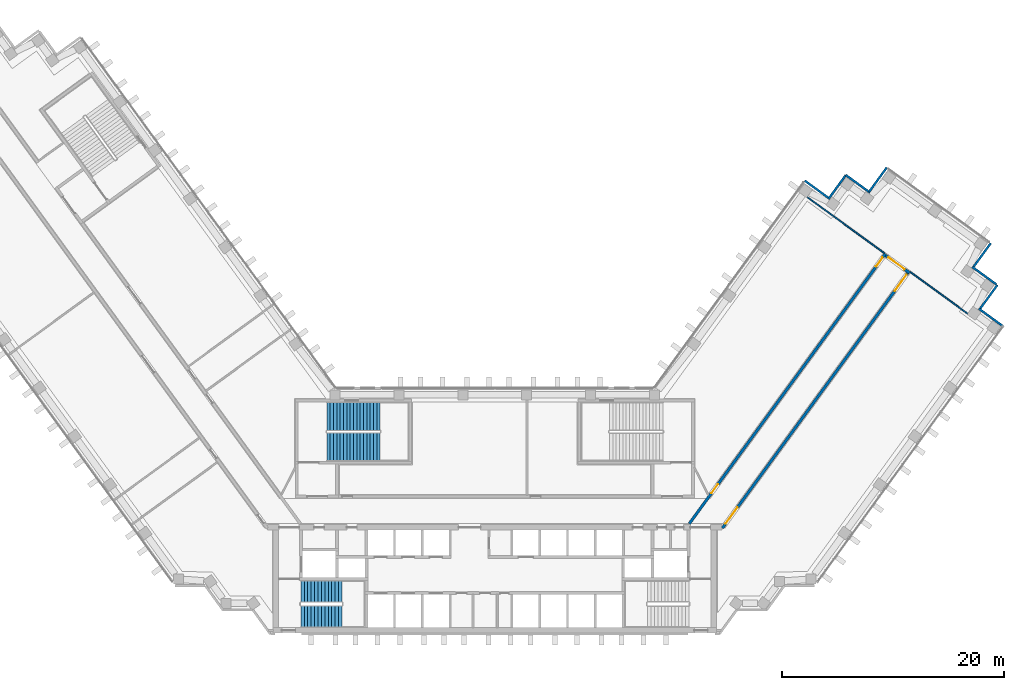
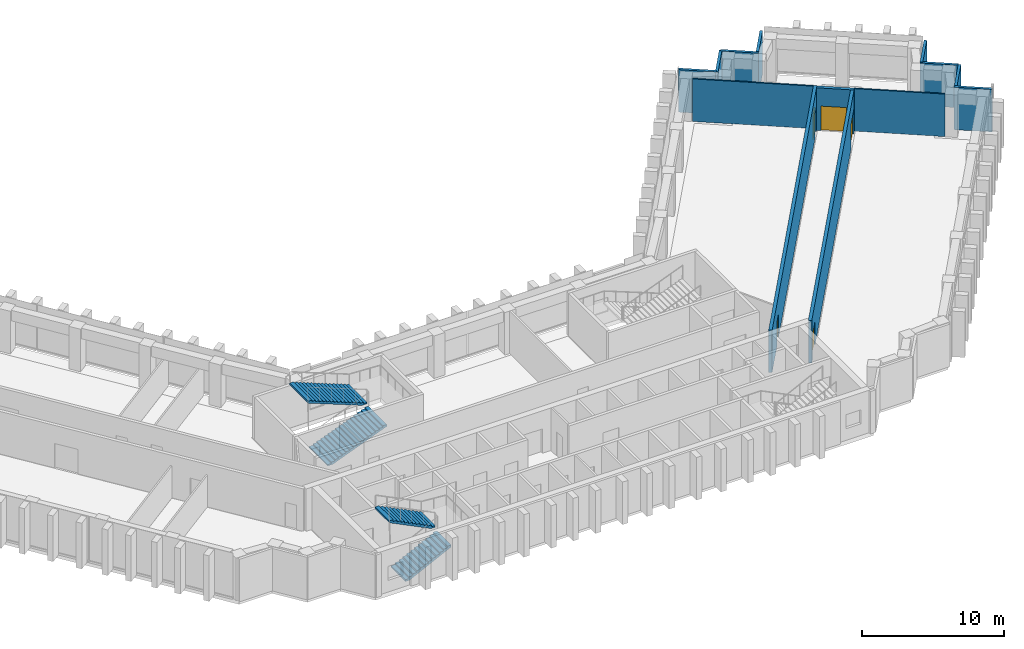
# One storey, part 10 of 13: 13 walls, 5 doors, 4 stair flights, 5 openings, 2 elements without a shape of their own.
"""IFC4 building model written with IfcOpenShell, lengths in metres."""

from ifc_helpers import new_model, si_unit, direction, frame, frame_2d, origin, place, context, subcontext, project, spatial, polyline, rectangle, outline, extrude, material, layer, layer_set, type_object, element, fill, aggregate, save


model = new_model("IFC4")

# Units and contexts
model_context = context("Model", 3, precision=1e-05, world=origin(), true_north=direction((0.0, 1.0)))
body_context = subcontext(model_context, "Body", "Model", "MODEL_VIEW")
ifc_project = project(units=[si_unit("LENGTHUNIT", "METRE"), si_unit("AREAUNIT", "SQUARE_METRE"), si_unit("VOLUMEUNIT", "CUBIC_METRE"), si_unit("PLANEANGLEUNIT", "RADIAN"), si_unit("MASSUNIT", "GRAM", prefix="KILO")], contexts=[model_context])

# Site, building, storey
site_placement = place(None, origin())
site = spatial("IfcSite", under=ifc_project, at=site_placement, CompositionType="ELEMENT")
building_placement = place(site_placement, origin())
building = spatial("IfcBuilding", under=site, at=building_placement, Name="Quipu Civic Tower", CompositionType="ELEMENT")
storey_placement = place(building_placement, frame((0.0, 0.0, 85.0)))
storey = spatial("IfcBuildingStorey", under=building, at=storey_placement, Name="L19", CompositionType="ELEMENT", Elevation=85.0)

# Wall, openings, doors
ifc_material_1 = material(Name="Concrete C50/60", Category="concrete")
ifc_layer_1 = layer(ifc_material_1, 0.25)
ifc_layer_set_1 = layer_set([ifc_layer_1], Name="Concrete C50/60")
wall_type_1 = type_object("IfcWallType", Name="Corridor wall 250 concrete", PredefinedType="SOLIDWALL", material=ifc_layer_set_1)
wall_1_placement = place(storey_placement, frame((17.544921875, -1.124755859375, 0.0), z_axis=(0.0, 0.0, 1.0), x_axis=(0.587786330937, 0.809016210693, 0.0)))
wall_1 = element("IfcWall", 1, at=wall_1_placement, inside=storey, type_object=wall_type_1, Name="Corridor wall C05", PredefinedType="SOLIDWALL", context=body_context, shape_type="SweptSolid", body=[
    extrude(rectangle(XDim=30.10302734375, YDim=0.25, at=frame_2d((15.051513671875, 0.0))), origin(), (0.0, 0.0, 1.0), 3.64990234375),
])
opening_1_placement = place(wall_1_placement, frame((28.678955078125, 0.0, 0.0)))
opening_1 = element("IfcOpeningElement", 2, at=opening_1_placement, cuts=wall_1, Name="Opening D001", PredefinedType="OPENING", context=body_context, shape_type="SweptSolid", body=[
    extrude(rectangle(XDim=1.0, YDim=2.10009765625, at=frame_2d((0.5, 1.050048828125))), frame((0.0, 0.135009765625, 0.0), z_axis=(0.0, -1.0, 0.0), x_axis=(1.0, 0.0, 0.0)), (0.0, 0.0, 1.0), 0.27001953125),
])
opening_2_placement = place(wall_1_placement, frame((3.391357421875, 0.0, 0.0)))
opening_2 = element("IfcOpeningElement", 3, at=opening_2_placement, cuts=wall_1, Name="Opening D002", PredefinedType="OPENING", context=body_context, shape_type="SweptSolid", body=[
    extrude(rectangle(XDim=1.0, YDim=2.10009765625, at=frame_2d((0.5, 1.050048828125))), frame((0.0, 0.135009765625, 0.0), z_axis=(0.0, -1.0, 0.0), x_axis=(1.0, 0.0, 0.0)), (0.0, 0.0, 1.0), 0.27001953125),
])
ifc_material_2 = material(Name="Fire rated timber door set with metal frame", Category="wood")
door_type_1 = type_object("IfcDoorType", Name="Single door 1000 x 2100 FD60", OperationType="NOTDEFINED", PredefinedType="DOOR", material=ifc_material_2)
door_1_placement = place(opening_1_placement, origin())
door_1 = element("IfcDoor", 4, at=door_1_placement, inside=storey, type_object=door_type_1, Name="Door D001", OperationType="SINGLE_SWING_RIGHT", OverallHeight=2.10009765625, OverallWidth=1.0, PredefinedType="DOOR", context=body_context, shape_type="SweptSolid", body=[
    extrude(rectangle(XDim=1.0, YDim=2.10009765625, at=frame_2d((0.5, 1.050048828125))), frame((0.0, 0.02490234375, 0.0), z_axis=(0.0, -1.0, 0.0), x_axis=(1.0, 0.0, 0.0)), (0.0, 0.0, 1.0), 0.050048828125),
])
fill(opening_1, door_1)
door_2_placement = place(opening_2_placement, origin())
door_2 = element("IfcDoor", 5, at=door_2_placement, inside=storey, type_object=door_type_1, Name="Door D002", OperationType="SINGLE_SWING_LEFT", OverallHeight=2.10009765625, OverallWidth=1.0, PredefinedType="DOOR", context=body_context, shape_type="SweptSolid", body=[
    extrude(rectangle(XDim=1.0, YDim=2.10009765625, at=frame_2d((0.5, 1.050048828125))), frame((0.0, 0.02490234375, 0.0), z_axis=(0.0, -1.0, 0.0), x_axis=(1.0, 0.0, 0.0)), (0.0, 0.0, 1.0), 0.050048828125),
])
fill(opening_2, door_2)

# Wall, opening, door
wall_2_placement = place(storey_placement, frame((35.2666015625, 23.054443359375, 0.0), z_axis=(0.0, 0.0, 1.0), x_axis=(0.809038743598, -0.587755315891, 0.0)))
wall_2 = element("IfcWall", 6, at=wall_2_placement, inside=storey, type_object=wall_type_1, Name="Corridor wall C06", PredefinedType="SOLIDWALL", context=body_context, shape_type="SweptSolid", body=[
    extrude(rectangle(XDim=2.650146484375, YDim=0.25, at=frame_2d((1.3251953125, 0.0))), origin(), (0.0, 0.0, 1.0), 3.64990234375),
])
opening_3_placement = place(wall_2_placement, frame((0.300048828125, 0.0, 0.0)))
opening_3 = element("IfcOpeningElement", 7, at=opening_3_placement, cuts=wall_2, Name="Opening D005", PredefinedType="OPENING", context=body_context, shape_type="SweptSolid", body=[
    extrude(rectangle(XDim=1.800048828125, YDim=2.10009765625, at=frame_2d((0.89990234375, 1.050048828125))), frame((0.0, 0.135009765625, 0.0), z_axis=(0.0, -1.0, 0.0), x_axis=(1.0, 0.0, 0.0)), (0.0, 0.0, 1.0), 0.27001953125),
])
ifc_material_3 = material(Name="Fire rated timber door set with metal frame", Category="wood")
door_type_2 = type_object("IfcDoorType", Name="Double door 1800 x 2100 FD60", OperationType="DOUBLE_DOOR_SINGLE_SWING", PredefinedType="DOOR", material=ifc_material_3)
door_3_placement = place(opening_3_placement, origin())
door_3 = element("IfcDoor", 8, at=door_3_placement, inside=storey, type_object=door_type_2, Name="Door D005", OperationType="DOUBLE_DOOR_SINGLE_SWING", OverallHeight=2.10009765625, OverallWidth=1.800048828125, PredefinedType="DOOR", context=body_context, shape_type="SweptSolid", body=[
    extrude(rectangle(XDim=1.800048828125, YDim=2.10009765625, at=frame_2d((0.89990234375, 1.050048828125))), frame((0.0, 0.02490234375, 0.0), z_axis=(0.0, -1.0, 0.0), x_axis=(1.0, 0.0, 0.0)), (0.0, 0.0, 1.0), 0.050048828125),
])
fill(opening_3, door_3)

# Wall, openings, doors
wall_3_placement = place(storey_placement, frame((37.236083984375, 21.46923828125, 0.0), z_axis=(0.0, 0.0, 1.0), x_axis=(-0.58778344073, -0.809018310549, 0.0)))
wall_3 = element("IfcWall", 9, at=wall_3_placement, inside=storey, type_object=wall_type_1, Name="Corridor wall C07", PredefinedType="SOLIDWALL", context=body_context, shape_type="SweptSolid", body=[
    extrude(rectangle(XDim=28.42041015625, YDim=0.25, at=frame_2d((14.210205078125, 0.0))), origin(), (0.0, 0.0, 1.0), 3.64990234375),
])
opening_4_placement = place(wall_3_placement, frame((26.137451171875, 0.0, 0.0)))
opening_4 = element("IfcOpeningElement", 10, at=opening_4_placement, cuts=wall_3, Name="Opening D003", PredefinedType="OPENING", context=body_context, shape_type="SweptSolid", body=[
    extrude(rectangle(XDim=1.800048828125, YDim=2.10009765625, at=frame_2d((0.89990234375, 1.050048828125))), frame((0.0, 0.135009765625, 0.0), z_axis=(0.0, -1.0, 0.0), x_axis=(1.0, 0.0, 0.0)), (0.0, 0.0, 1.0), 0.27001953125),
])
opening_5_placement = place(wall_3_placement, frame((0.174560546875, 0.0, 0.0)))
opening_5 = element("IfcOpeningElement", 11, at=opening_5_placement, cuts=wall_3, Name="Opening D004", PredefinedType="OPENING", context=body_context, shape_type="SweptSolid", body=[
    extrude(rectangle(XDim=1.800048828125, YDim=2.10009765625, at=frame_2d((0.89990234375, 1.050048828125))), frame((0.0, 0.135009765625, 0.0), z_axis=(0.0, -1.0, 0.0), x_axis=(1.0, 0.0, 0.0)), (0.0, 0.0, 1.0), 0.27001953125),
])
door_4_placement = place(opening_4_placement, origin())
door_4 = element("IfcDoor", 12, at=door_4_placement, inside=storey, type_object=door_type_2, Name="Door D003", OperationType="DOUBLE_DOOR_SINGLE_SWING", OverallHeight=2.10009765625, OverallWidth=1.800048828125, PredefinedType="DOOR", context=body_context, shape_type="SweptSolid", body=[
    extrude(rectangle(XDim=1.800048828125, YDim=2.10009765625, at=frame_2d((0.89990234375, 1.050048828125))), frame((0.0, 0.02490234375, 0.0), z_axis=(0.0, -1.0, 0.0), x_axis=(1.0, 0.0, 0.0)), (0.0, 0.0, 1.0), 0.050048828125),
])
fill(opening_4, door_4)
door_5_placement = place(opening_5_placement, origin())
door_5 = element("IfcDoor", 13, at=door_5_placement, inside=storey, type_object=door_type_2, Name="Door D004", OperationType="DOUBLE_DOOR_SINGLE_SWING", OverallHeight=2.10009765625, OverallWidth=1.800048828125, PredefinedType="DOOR", context=body_context, shape_type="SweptSolid", body=[
    extrude(rectangle(XDim=1.800048828125, YDim=2.10009765625, at=frame_2d((0.89990234375, 1.050048828125))), frame((0.0, 0.02490234375, 0.0), z_axis=(0.0, -1.0, 0.0), x_axis=(1.0, 0.0, 0.0)), (0.0, 0.0, 1.0), 0.050048828125),
])
fill(opening_5, door_5)

# Walls
ifc_material_4 = material(Name="Gypsum plasterboard on light gauge framing")
ifc_layer_2 = layer(ifc_material_4, 0.1201171875)
ifc_layer_set_2 = layer_set([ifc_layer_2], Name="Gypsum plasterboard on light gauge framing")
wall_type_2 = type_object("IfcWallType", Name="Partition 120 plasterboard", PredefinedType="PARTITIONING", material=ifc_layer_set_2)
wall_4_placement = place(storey_placement, frame((35.1259765625, 23.286376953125, 0.0), z_axis=(0.0, 0.0, 1.0), x_axis=(-0.809022465264, 0.587777722186, 0.0)))
element("IfcWall", 14, at=wall_4_placement, inside=storey, type_object=wall_type_2, Name="Partition P04", PredefinedType="PARTITIONING", context=body_context, shape_type="SweptSolid", body=[
    extrude(rectangle(XDim=8.5498046875, YDim=0.1201171875, at=frame_2d((4.27490234375, 0.0))), origin(), (0.0, 0.0, 1.0), 3.64990234375),
])
wall_5_placement = place(storey_placement, frame((42.6455078125, 17.822998046875, 0.0), z_axis=(0.0, 0.0, 1.0), x_axis=(-0.80900675786, 0.587799341388, 0.0)))
element("IfcWall", 15, at=wall_5_placement, inside=storey, type_object=wall_type_2, Name="Partition P06", PredefinedType="PARTITIONING", context=body_context, shape_type="SweptSolid", body=[
    extrude(rectangle(XDim=6.394775390625, YDim=0.1201171875, at=frame_2d((3.197265625, 0.0))), origin(), (0.0, 0.0, 1.0), 3.64990234375),
])
ifc_material_5 = material(Name="Precast concrete C40/50", Category="concrete")
wall_type_3 = type_object("IfcWallType", Name="Precast cladding wall", PredefinedType="SOLIDWALL", material=ifc_material_5)
for number, where, z_axis, x_axis, name in (
    (16, (45.84228515625, 16.6845703125, 0.0), (0.0, 0.0, 1.0), (-0.808958916286, 0.58786518162, 0.0), "Precast cladding wall L19 2"),
    (17, (43.74609375, 18.22265625, 0.0), (0.0, 0.0, 1.0), (0.587762999008, 0.809033161865, 0.0), "Precast cladding wall L19 3"),
    (18, (45.2451171875, 20.4560546875, 0.0), (0.0, 0.0, 1.0), (-0.809033161865, 0.587762999008, 0.0), "Precast cladding wall L19 4"),
    (19, (43.148681640625, 21.993896484375, 0.0), (0.0, 0.0, 1.0), (0.587822180636, 0.808990163075, 0.0), "Precast cladding wall L19 5"),
    (20, (35.351318359375, 30.99658203125, 0.0), (0.0, 0.0, 1.0), (-0.587822180636, -0.808990163075, 0.0), "Precast cladding wall L19 7"),
    (21, (33.837890625, 28.743896484375, 0.0), (0.0, 0.0, 1.0), (-0.809033161865, 0.587762999008, 0.0), "Precast cladding wall L19 8"),
    (22, (31.67041015625, 30.33349609375, 0.0), (0.0, 0.0, 1.0), (-0.587762999008, -0.809033161865, 0.0), "Precast cladding wall L19 9"),
    (23, (30.132568359375, 28.237060546875, 0.0), (0.0, 0.0, 1.0), (-0.808990163075, 0.587822180636, 0.0), "Precast cladding wall L19 10"),
):
    element("IfcWall", number, at=place(storey_placement, frame(where, z_axis=z_axis, x_axis=x_axis)), inside=storey, type_object=wall_type_3, Name=name, PredefinedType="SOLIDWALL", context=body_context, shape_type="SweptSolid", body=[
        extrude(rectangle(XDim=2.699951171875, YDim=0.199951171875, at=frame_2d((1.35009765625, 0.0))), origin(), (0.0, 0.0, 1.0), 3.64990234375),
    ])

# Stair, stair flights
ifc_material_6 = material(Name="Concrete C40/50", Category="concrete")
stair_type_1 = type_object("IfcStairType", Name="Half turn stair 2000", PredefinedType="HALF_TURN_STAIR", material=ifc_material_6)
stair_1_placement = place(storey_placement, origin())
stair_1 = element("IfcStair", 24, at=stair_1_placement, inside=storey, type_object=stair_type_1, Name="Exit stair 1", PredefinedType="HALF_TURN_STAIR")
ifc_material_7 = material(Name="Concrete C40/50", Category="concrete")
stair_flight_type_1 = type_object("IfcStairFlightType", Name="Stair flight 2000", PredefinedType="STRAIGHT", material=ifc_material_7)
stair_flight_1_placement = place(storey_placement, frame((-17.5, -9.5, 0.0), z_axis=(0.0, 0.0, 1.0), x_axis=(1.0, 0.0, 0.0)))
stair_flight_1 = element("IfcStairFlight", 25, at=stair_flight_1_placement, type_object=stair_flight_type_1, Name="ST-1 flight 1", NumberOfRisers=13, NumberOfTreads=12, PredefinedType="STRAIGHT", RiserHeight=0.153846154, TreadLength=0.31, context=body_context, shape_type="SweptSolid", body=[
    extrude(outline(polyline([(0.0, 0.0), (0.0, 0.15380859375), (0.31005859375, 0.15380859375), (0.31005859375, 0.3076171875), (0.6201171875, 0.3076171875), (0.6201171875, 0.46142578125), (0.929931640625, 0.46142578125), (0.929931640625, 0.615478515625), (1.239990234375, 0.615478515625), (1.239990234375, 0.769287109375), (1.550048828125, 0.769287109375), (1.550048828125, 0.923095703125), (1.860107421875, 0.923095703125), (1.860107421875, 1.076904296875), (2.169921875, 1.076904296875), (2.169921875, 1.230712890625), (2.47998046875, 1.230712890625), (2.47998046875, 1.384521484375), (2.7900390625, 1.384521484375), (2.7900390625, 1.53857421875), (3.10009765625, 1.53857421875), (3.10009765625, 1.6923828125), (3.409912109375, 1.6923828125), (3.409912109375, 1.84619140625), (3.719970703125, 1.84619140625), (3.719970703125, 2.0), (3.719970703125, 1.6787109375), (0.337158203125, 0.0), (0.0, 0.0)])), frame((0.0, 1.0, 0.0), z_axis=(0.0, -1.0, 0.0), x_axis=(1.0, 0.0, 0.0)), (0.0, 0.0, 1.0), 2.0),
])
stair_flight_2_placement = place(storey_placement, frame((-13.780029296875, -7.25, 2.0), z_axis=(0.0, 0.0, 1.0), x_axis=(-1.0, 0.0, 0.0)))
stair_flight_2 = element("IfcStairFlight", 26, at=stair_flight_2_placement, type_object=stair_flight_type_1, Name="ST-1 flight 2", NumberOfRisers=13, NumberOfTreads=12, PredefinedType="STRAIGHT", RiserHeight=0.153846154, TreadLength=0.31, context=body_context, shape_type="SweptSolid", body=[
    extrude(outline(polyline([(0.0, 0.0), (0.0, 0.15380859375), (0.31005859375, 0.15380859375), (0.31005859375, 0.3076171875), (0.6201171875, 0.3076171875), (0.6201171875, 0.46142578125), (0.929931640625, 0.46142578125), (0.929931640625, 0.615478515625), (1.239990234375, 0.615478515625), (1.239990234375, 0.769287109375), (1.550048828125, 0.769287109375), (1.550048828125, 0.923095703125), (1.860107421875, 0.923095703125), (1.860107421875, 1.076904296875), (2.169921875, 1.076904296875), (2.169921875, 1.230712890625), (2.47998046875, 1.230712890625), (2.47998046875, 1.384521484375), (2.7900390625, 1.384521484375), (2.7900390625, 1.53857421875), (3.10009765625, 1.53857421875), (3.10009765625, 1.6923828125), (3.409912109375, 1.6923828125), (3.409912109375, 1.84619140625), (3.719970703125, 1.84619140625), (3.719970703125, 2.0), (3.719970703125, 1.6787109375), (0.337158203125, 0.0), (0.0, 0.0)])), frame((0.0, 1.0, 0.0), z_axis=(0.0, -1.0, 0.0), x_axis=(1.0, 0.0, 0.0)), (0.0, 0.0, 1.0), 2.0),
])
aggregate(stair_1, [stair_flight_1, stair_flight_2])

ifc_material_8 = material(Name="Concrete C40/50", Category="concrete")
stair_type_2 = type_object("IfcStairType", Name="Half turn stair 2600", PredefinedType="HALF_TURN_STAIR", material=ifc_material_8)
stair_2_placement = place(storey_placement, origin())
stair_2 = element("IfcStair", 27, at=stair_2_placement, inside=storey, type_object=stair_type_2, Name="Exit stair 3", PredefinedType="HALF_TURN_STAIR")
ifc_material_9 = material(Name="Concrete C40/50", Category="concrete")
stair_flight_type_2 = type_object("IfcStairFlightType", Name="Stair flight 2600", PredefinedType="STRAIGHT", material=ifc_material_9)
stair_flight_3_placement = place(storey_placement, frame((-15.14990234375, 5.800048828125, 0.0), z_axis=(0.0, 0.0, 1.0), x_axis=(1.0, 0.0, 0.0)))
stair_flight_3 = element("IfcStairFlight", 28, at=stair_flight_3_placement, type_object=stair_flight_type_2, Name="ST-3 flight 1", NumberOfRisers=17, NumberOfTreads=16, PredefinedType="STRAIGHT", RiserHeight=0.117647059, TreadLength=0.3, context=body_context, shape_type="SweptSolid", body=[
    extrude(outline(polyline([(0.0, 0.0), (0.0, 0.11767578125), (0.300048828125, 0.11767578125), (0.300048828125, 0.2353515625), (0.60009765625, 0.2353515625), (0.60009765625, 0.35302734375), (0.89990234375, 0.35302734375), (0.89990234375, 0.470703125), (1.199951171875, 0.470703125), (1.199951171875, 0.588134765625), (1.5, 0.588134765625), (1.5, 0.705810546875), (1.800048828125, 0.705810546875), (1.800048828125, 0.823486328125), (2.10009765625, 0.823486328125), (2.10009765625, 0.941162109375), (2.39990234375, 0.941162109375), (2.39990234375, 1.058837890625), (2.699951171875, 1.058837890625), (2.699951171875, 1.176513671875), (3.0, 1.176513671875), (3.0, 1.294189453125), (3.300048828125, 1.294189453125), (3.300048828125, 1.411865234375), (3.60009765625, 1.411865234375), (3.60009765625, 1.529296875), (3.89990234375, 1.529296875), (3.89990234375, 1.64697265625), (4.199951171875, 1.64697265625), (4.199951171875, 1.7646484375), (4.5, 1.7646484375), (4.5, 1.88232421875), (4.800048828125, 1.88232421875), (4.800048828125, 2.0), (4.800048828125, 1.721435546875), (0.41064453125, 0.0), (0.0, 0.0)])), frame((0.0, 1.300048828125, 0.0), z_axis=(0.0, -1.0, 0.0), x_axis=(1.0, 0.0, 0.0)), (0.0, 0.0, 1.0), 2.60009765625),
])
stair_flight_4_placement = place(storey_placement, frame((-10.35009765625, 8.550048828125, 2.0), z_axis=(0.0, 0.0, 1.0), x_axis=(-1.0, 0.0, 0.0)))
stair_flight_4 = element("IfcStairFlight", 29, at=stair_flight_4_placement, type_object=stair_flight_type_2, Name="ST-3 flight 2", NumberOfRisers=17, NumberOfTreads=16, PredefinedType="STRAIGHT", RiserHeight=0.117647059, TreadLength=0.3, context=body_context, shape_type="SweptSolid", body=[
    extrude(outline(polyline([(0.0, 0.0), (0.0, 0.11767578125), (0.300048828125, 0.11767578125), (0.300048828125, 0.2353515625), (0.60009765625, 0.2353515625), (0.60009765625, 0.35302734375), (0.89990234375, 0.35302734375), (0.89990234375, 0.470703125), (1.199951171875, 0.470703125), (1.199951171875, 0.588134765625), (1.5, 0.588134765625), (1.5, 0.705810546875), (1.800048828125, 0.705810546875), (1.800048828125, 0.823486328125), (2.10009765625, 0.823486328125), (2.10009765625, 0.941162109375), (2.39990234375, 0.941162109375), (2.39990234375, 1.058837890625), (2.699951171875, 1.058837890625), (2.699951171875, 1.176513671875), (3.0, 1.176513671875), (3.0, 1.294189453125), (3.300048828125, 1.294189453125), (3.300048828125, 1.411865234375), (3.60009765625, 1.411865234375), (3.60009765625, 1.529296875), (3.89990234375, 1.529296875), (3.89990234375, 1.64697265625), (4.199951171875, 1.64697265625), (4.199951171875, 1.7646484375), (4.5, 1.7646484375), (4.5, 1.88232421875), (4.800048828125, 1.88232421875), (4.800048828125, 2.0), (4.800048828125, 1.721435546875), (0.41064453125, 0.0), (0.0, 0.0)])), frame((0.0, 1.300048828125, 0.0), z_axis=(0.0, -1.0, 0.0), x_axis=(1.0, 0.0, 0.0)), (0.0, 0.0, 1.0), 2.60009765625),
])
aggregate(stair_2, [stair_flight_3, stair_flight_4])

save(model, "model.ifc")
